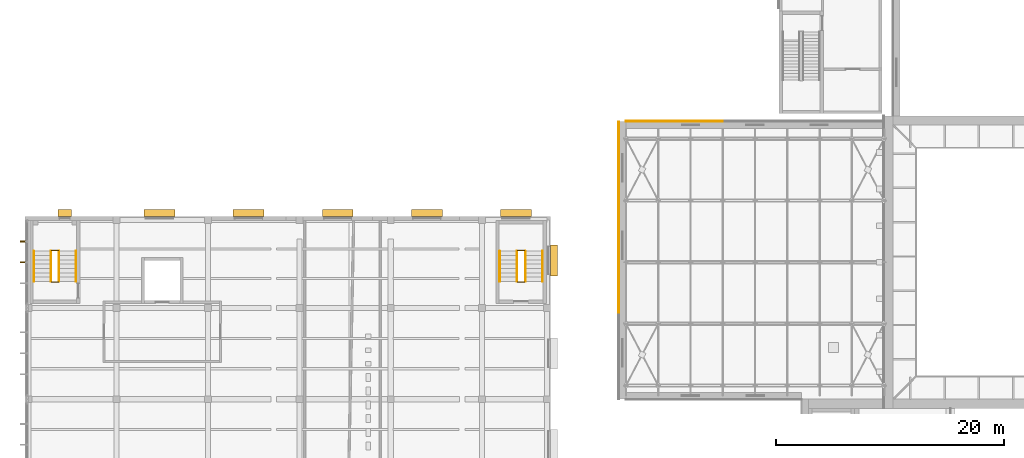
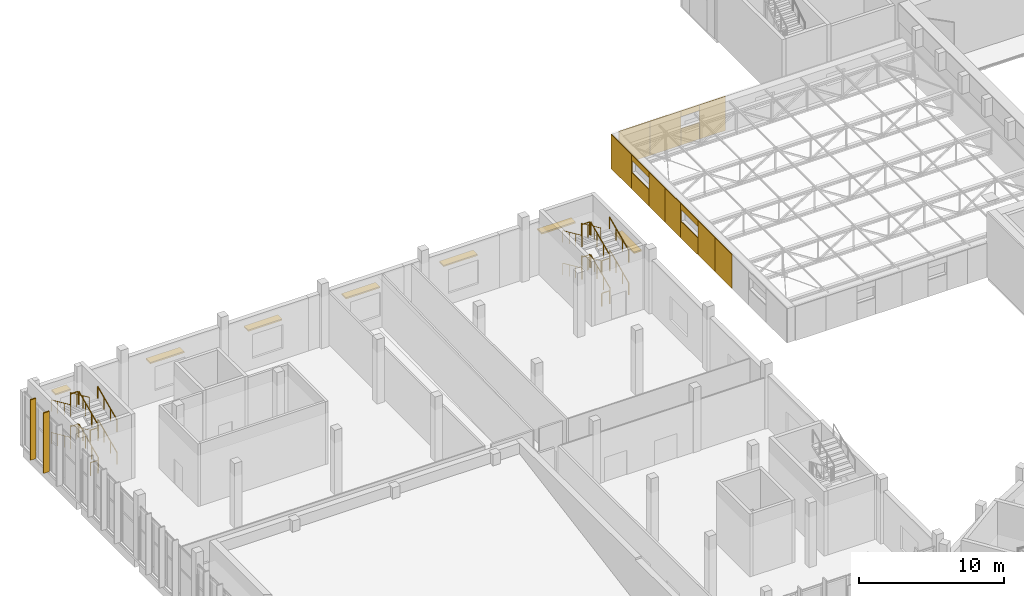
# One storey, part 114 of 132: 24 railings, 14 coverings, 9 shading devices.
"""IFC4 building model written with IfcOpenShell, lengths in metres."""

from ifc_helpers import new_model, si_unit, direction, frame, origin, origin_2d, place, context, subcontext, project, spatial, rectangle, circle, extrude, material, layer, layer_set, type_object, element, save


model = new_model("IFC4")

# Units and contexts
model_context = context("Model", 3, precision=1e-05, world=origin(), true_north=direction((0.0, 1.0)))
body_context = subcontext(model_context, "Body", "Model", "MODEL_VIEW")
ifc_project = project(units=[si_unit("LENGTHUNIT", "METRE"), si_unit("AREAUNIT", "SQUARE_METRE"), si_unit("VOLUMEUNIT", "CUBIC_METRE"), si_unit("PLANEANGLEUNIT", "RADIAN"), si_unit("MASSUNIT", "GRAM", prefix="KILO")], contexts=[model_context])

# Site, building, storey
site_placement = place(None, origin())
site = spatial("IfcSite", under=ifc_project, at=site_placement, CompositionType="ELEMENT")
building_placement = place(site_placement, origin())
building = spatial("IfcBuilding", under=site, at=building_placement, Name="Lunette Opera House", CompositionType="ELEMENT")
storey_placement = place(building_placement, frame((0.0, 0.0, 17.0)))
storey = spatial("IfcBuildingStorey", under=building, at=storey_placement, Name="L03", CompositionType="ELEMENT", Elevation=17.0)

# Shading devices
ifc_material_1 = material(Name="Powder-coated aluminium", Category="aluminium")
shading_device_type_1 = type_object("IfcShadingDeviceType", Name="SOLAR FIN 100 X 450", PredefinedType="USERDEFINED", material=ifc_material_1)
for number, where, z_axis, x_axis, name in (
    (1, (7.76708984375, 109.80908203125, 0.114501953125), (0.0, 0.0, 1.0), (-1.0, 0.0, 0.0), "Solar fin RW-X2043 1"),
    (2, (7.76708984375, 107.98291015625, 0.114501953125), (0.0, 0.0, 1.0), (-1.0, 0.0, 0.0), "Solar fin RW-X2043 2"),
):
    element("IfcShadingDevice", number, at=place(storey_placement, frame(where, z_axis=z_axis, x_axis=x_axis)), inside=storey, type_object=shading_device_type_1, Name=name, ObjectType="SOLAR FIN", PredefinedType="USERDEFINED", context=body_context, shape_type="SweptSolid", body=[
        extrude(rectangle(XDim=0.449951171875, YDim=0.10009765625, at=origin_2d()), origin(), (0.0, 0.0, 1.0), 5.0849609375),
    ])

# Railings
ifc_material_2 = material(Name="Steel S355", Category="steel")
railing_type_1 = type_object("IfcRailingType", Name="STAIR GUARD 1100", PredefinedType="GUARDRAIL", material=ifc_material_2)
railing_1_placement = place(storey_placement, frame((10.949951171875, 106.300048828125, 0.171875)))
element("IfcRailing", 3, at=railing_1_placement, inside=storey, type_object=railing_type_1, Name="L03 ST15 stair guard 1", PredefinedType="GUARDRAIL", context=body_context, shape_type="SweptSolid", body=[
    extrude(circle(Radius=0.02392578125, at=origin_2d()), frame((0.0, 0.0, 1.076171875), z_axis=(0.0, 0.911129605887, 0.412119935549), x_axis=(-1.0, 0.0, 0.0)), (0.0, 0.0, 1.0), 2.91943359375),
    extrude(circle(Radius=0.02099609375, at=origin_2d()), origin(), (0.0, 0.0, 1.0), 1.052001953125),
    extrude(circle(Radius=0.02099609375, at=origin_2d()), frame((0.0, 0.88671875, 0.401123046875)), (0.0, 0.0, 1.0), 1.052001953125),
    extrude(circle(Radius=0.02099609375, at=origin_2d()), frame((0.0, 1.773193359375, 0.802001953125)), (0.0, 0.0, 1.0), 1.052001953125),
    extrude(circle(Radius=0.02099609375, at=origin_2d()), frame((0.0, 2.659912109375, 1.203125)), (0.0, 0.0, 1.0), 1.052001953125),
])
railing_2_placement = place(storey_placement, frame((10.89990234375, 109.010009765625, 1.375)))
element("IfcRailing", 4, at=railing_2_placement, inside=storey, type_object=railing_type_1, Name="L03 ST15 stair guard 2", PredefinedType="GUARDRAIL", context=body_context, shape_type="SweptSolid", body=[
    extrude(circle(Radius=0.02392578125, at=origin_2d()), frame((0.0, 0.0, 1.076171875), z_axis=(-1.0, 0.0, 0.0), x_axis=(0.0, -1.0, 0.0)), (0.0, 0.0, 1.0), 0.599853515625),
    extrude(circle(Radius=0.02099609375, at=origin_2d()), origin(), (0.0, 0.0, 1.0), 1.052001953125),
    extrude(circle(Radius=0.02099609375, at=origin_2d()), frame((-0.599853515625, 0.0, 0.0)), (0.0, 0.0, 1.0), 1.052001953125),
])
railing_3_placement = place(storey_placement, frame((10.25, 108.9599609375, 1.546875)))
element("IfcRailing", 5, at=railing_3_placement, inside=storey, type_object=railing_type_1, Name="L03 ST15 stair guard 3", PredefinedType="GUARDRAIL", context=body_context, shape_type="SweptSolid", body=[
    extrude(circle(Radius=0.02392578125, at=origin_2d()), frame((0.0, 0.0, 1.076171875), z_axis=(0.0, -0.911129605887, 0.412119935549), x_axis=(1.0, 0.0, 0.0)), (0.0, 0.0, 1.0), 2.91943359375),
    extrude(circle(Radius=0.02099609375, at=origin_2d()), origin(), (0.0, 0.0, 1.0), 1.052001953125),
    extrude(circle(Radius=0.02099609375, at=origin_2d()), frame((0.0, -0.88671875, 0.401123046875)), (0.0, 0.0, 1.0), 1.052001953125),
    extrude(circle(Radius=0.02099609375, at=origin_2d()), frame((0.0, -1.773193359375, 0.802001953125)), (0.0, 0.0, 1.0), 1.052001953125),
    extrude(circle(Radius=0.02099609375, at=origin_2d()), frame((0.0, -2.659912109375, 1.203125)), (0.0, 0.0, 1.0), 1.052001953125),
])
railing_4_placement = place(storey_placement, frame((10.89990234375, 106.25, 2.75)))
element("IfcRailing", 6, at=railing_4_placement, inside=storey, type_object=railing_type_1, Name="L03 ST15 stair guard 4", PredefinedType="GUARDRAIL", context=body_context, shape_type="SweptSolid", body=[
    extrude(circle(Radius=0.02392578125, at=origin_2d()), frame((0.0, 0.0, 1.076171875), z_axis=(-1.0, 0.0, 0.0), x_axis=(0.0, -1.0, 0.0)), (0.0, 0.0, 1.0), 0.599853515625),
    extrude(circle(Radius=0.02099609375, at=origin_2d()), origin(), (0.0, 0.0, 1.0), 1.052001953125),
    extrude(circle(Radius=0.02099609375, at=origin_2d()), frame((-0.599853515625, 0.0, 0.0)), (0.0, 0.0, 1.0), 1.052001953125),
])
railing_5_placement = place(storey_placement, frame((10.949951171875, 106.300048828125, 2.921875)))
element("IfcRailing", 7, at=railing_5_placement, inside=storey, type_object=railing_type_1, Name="L03 ST15 stair guard 5", PredefinedType="GUARDRAIL", context=body_context, shape_type="SweptSolid", body=[
    extrude(circle(Radius=0.02392578125, at=origin_2d()), frame((0.0, 0.0, 1.076171875), z_axis=(0.0, 0.911129605887, 0.412119935549), x_axis=(-1.0, 0.0, 0.0)), (0.0, 0.0, 1.0), 2.91943359375),
    extrude(circle(Radius=0.02099609375, at=origin_2d()), origin(), (0.0, 0.0, 1.0), 1.052001953125),
    extrude(circle(Radius=0.02099609375, at=origin_2d()), frame((0.0, 0.88671875, 0.401123046875)), (0.0, 0.0, 1.0), 1.052001953125),
    extrude(circle(Radius=0.02099609375, at=origin_2d()), frame((0.0, 1.773193359375, 0.802001953125)), (0.0, 0.0, 1.0), 1.052001953125),
    extrude(circle(Radius=0.02099609375, at=origin_2d()), frame((0.0, 2.659912109375, 1.203125)), (0.0, 0.0, 1.0), 1.052001953125),
])
railing_6_placement = place(storey_placement, frame((10.89990234375, 109.010009765625, 4.125)))
element("IfcRailing", 8, at=railing_6_placement, inside=storey, type_object=railing_type_1, Name="L03 ST15 stair guard 6", PredefinedType="GUARDRAIL", context=body_context, shape_type="SweptSolid", body=[
    extrude(circle(Radius=0.02392578125, at=origin_2d()), frame((0.0, 0.0, 1.076171875), z_axis=(-1.0, 0.0, 0.0), x_axis=(0.0, -1.0, 0.0)), (0.0, 0.0, 1.0), 0.599853515625),
    extrude(circle(Radius=0.02099609375, at=origin_2d()), origin(), (0.0, 0.0, 1.0), 1.052001953125),
    extrude(circle(Radius=0.02099609375, at=origin_2d()), frame((-0.599853515625, 0.0, 0.0)), (0.0, 0.0, 1.0), 1.052001953125),
])
railing_7_placement = place(storey_placement, frame((10.25, 108.9599609375, 4.296875)))
element("IfcRailing", 9, at=railing_7_placement, inside=storey, type_object=railing_type_1, Name="L03 ST15 stair guard 7", PredefinedType="GUARDRAIL", context=body_context, shape_type="SweptSolid", body=[
    extrude(circle(Radius=0.02392578125, at=origin_2d()), frame((0.0, 0.0, 1.076171875), z_axis=(0.0, -0.911129605887, 0.412119935549), x_axis=(1.0, 0.0, 0.0)), (0.0, 0.0, 1.0), 2.91943359375),
    extrude(circle(Radius=0.02099609375, at=origin_2d()), origin(), (0.0, 0.0, 1.0), 1.052001953125),
    extrude(circle(Radius=0.02099609375, at=origin_2d()), frame((0.0, -0.88671875, 0.401123046875)), (0.0, 0.0, 1.0), 1.052001953125),
    extrude(circle(Radius=0.02099609375, at=origin_2d()), frame((0.0, -1.773193359375, 0.802001953125)), (0.0, 0.0, 1.0), 1.052001953125),
    extrude(circle(Radius=0.02099609375, at=origin_2d()), frame((0.0, -2.659912109375, 1.203125)), (0.0, 0.0, 1.0), 1.052001953125),
])
railing_8_placement = place(storey_placement, frame((10.89990234375, 106.25, 0.0)))
element("IfcRailing", 10, at=railing_8_placement, inside=storey, type_object=railing_type_1, Name="L03 ST15 stair guard 8", PredefinedType="GUARDRAIL", context=body_context, shape_type="SweptSolid", body=[
    extrude(circle(Radius=0.02392578125, at=origin_2d()), frame((0.0, 0.0, 1.076171875), z_axis=(-1.0, 0.0, 0.0), x_axis=(0.0, -1.0, 0.0)), (0.0, 0.0, 1.0), 0.599853515625),
    extrude(circle(Radius=0.02099609375, at=origin_2d()), origin(), (0.0, 0.0, 1.0), 1.052001953125),
    extrude(circle(Radius=0.02099609375, at=origin_2d()), frame((-0.599853515625, 0.0, 0.0)), (0.0, 0.0, 1.0), 1.052001953125),
])
railing_9_placement = place(storey_placement, frame((51.784912109375, 106.300048828125, 0.171875)))
element("IfcRailing", 11, at=railing_9_placement, inside=storey, type_object=railing_type_1, Name="L03 ST17 stair guard 1", PredefinedType="GUARDRAIL", context=body_context, shape_type="SweptSolid", body=[
    extrude(circle(Radius=0.02392578125, at=origin_2d()), frame((0.0, 0.0, 1.076171875), z_axis=(0.0, 0.911129605887, 0.412119935549), x_axis=(-1.0, 0.0, 0.0)), (0.0, 0.0, 1.0), 2.91943359375),
    extrude(circle(Radius=0.02099609375, at=origin_2d()), origin(), (0.0, 0.0, 1.0), 1.052001953125),
    extrude(circle(Radius=0.02099609375, at=origin_2d()), frame((0.0, 0.88671875, 0.401123046875)), (0.0, 0.0, 1.0), 1.052001953125),
    extrude(circle(Radius=0.02099609375, at=origin_2d()), frame((0.0, 1.773193359375, 0.802001953125)), (0.0, 0.0, 1.0), 1.052001953125),
    extrude(circle(Radius=0.02099609375, at=origin_2d()), frame((0.0, 2.659912109375, 1.203125)), (0.0, 0.0, 1.0), 1.052001953125),
])
railing_10_placement = place(storey_placement, frame((51.735107421875, 109.010009765625, 1.375)))
element("IfcRailing", 12, at=railing_10_placement, inside=storey, type_object=railing_type_1, Name="L03 ST17 stair guard 2", PredefinedType="GUARDRAIL", context=body_context, shape_type="SweptSolid", body=[
    extrude(circle(Radius=0.02392578125, at=origin_2d()), frame((0.0, 0.0, 1.076171875), z_axis=(-1.0, 0.0, 0.0), x_axis=(0.0, -1.0, 0.0)), (0.0, 0.0, 1.0), 0.635009765625),
    extrude(circle(Radius=0.02099609375, at=origin_2d()), origin(), (0.0, 0.0, 1.0), 1.052001953125),
    extrude(circle(Radius=0.02099609375, at=origin_2d()), frame((-0.635009765625, 0.0, 0.0)), (0.0, 0.0, 1.0), 1.052001953125),
])
railing_11_placement = place(storey_placement, frame((51.050048828125, 108.9599609375, 1.546875)))
element("IfcRailing", 13, at=railing_11_placement, inside=storey, type_object=railing_type_1, Name="L03 ST17 stair guard 3", PredefinedType="GUARDRAIL", context=body_context, shape_type="SweptSolid", body=[
    extrude(circle(Radius=0.02392578125, at=origin_2d()), frame((0.0, 0.0, 1.076171875), z_axis=(0.0, -0.911129605887, 0.412119935549), x_axis=(1.0, 0.0, 0.0)), (0.0, 0.0, 1.0), 2.91943359375),
    extrude(circle(Radius=0.02099609375, at=origin_2d()), origin(), (0.0, 0.0, 1.0), 1.052001953125),
    extrude(circle(Radius=0.02099609375, at=origin_2d()), frame((0.0, -0.88671875, 0.401123046875)), (0.0, 0.0, 1.0), 1.052001953125),
    extrude(circle(Radius=0.02099609375, at=origin_2d()), frame((0.0, -1.773193359375, 0.802001953125)), (0.0, 0.0, 1.0), 1.052001953125),
    extrude(circle(Radius=0.02099609375, at=origin_2d()), frame((0.0, -2.659912109375, 1.203125)), (0.0, 0.0, 1.0), 1.052001953125),
])
railing_12_placement = place(storey_placement, frame((51.735107421875, 106.25, 2.75)))
element("IfcRailing", 14, at=railing_12_placement, inside=storey, type_object=railing_type_1, Name="L03 ST17 stair guard 4", PredefinedType="GUARDRAIL", context=body_context, shape_type="SweptSolid", body=[
    extrude(circle(Radius=0.02392578125, at=origin_2d()), frame((0.0, 0.0, 1.076171875), z_axis=(-1.0, 0.0, 0.0), x_axis=(0.0, -1.0, 0.0)), (0.0, 0.0, 1.0), 0.635009765625),
    extrude(circle(Radius=0.02099609375, at=origin_2d()), origin(), (0.0, 0.0, 1.0), 1.052001953125),
    extrude(circle(Radius=0.02099609375, at=origin_2d()), frame((-0.635009765625, 0.0, 0.0)), (0.0, 0.0, 1.0), 1.052001953125),
])
railing_13_placement = place(storey_placement, frame((51.784912109375, 106.300048828125, 2.921875)))
element("IfcRailing", 15, at=railing_13_placement, inside=storey, type_object=railing_type_1, Name="L03 ST17 stair guard 5", PredefinedType="GUARDRAIL", context=body_context, shape_type="SweptSolid", body=[
    extrude(circle(Radius=0.02392578125, at=origin_2d()), frame((0.0, 0.0, 1.076171875), z_axis=(0.0, 0.911129605887, 0.412119935549), x_axis=(-1.0, 0.0, 0.0)), (0.0, 0.0, 1.0), 2.91943359375),
    extrude(circle(Radius=0.02099609375, at=origin_2d()), origin(), (0.0, 0.0, 1.0), 1.052001953125),
    extrude(circle(Radius=0.02099609375, at=origin_2d()), frame((0.0, 0.88671875, 0.401123046875)), (0.0, 0.0, 1.0), 1.052001953125),
    extrude(circle(Radius=0.02099609375, at=origin_2d()), frame((0.0, 1.773193359375, 0.802001953125)), (0.0, 0.0, 1.0), 1.052001953125),
    extrude(circle(Radius=0.02099609375, at=origin_2d()), frame((0.0, 2.659912109375, 1.203125)), (0.0, 0.0, 1.0), 1.052001953125),
])
railing_14_placement = place(storey_placement, frame((51.735107421875, 109.010009765625, 4.125)))
element("IfcRailing", 16, at=railing_14_placement, inside=storey, type_object=railing_type_1, Name="L03 ST17 stair guard 6", PredefinedType="GUARDRAIL", context=body_context, shape_type="SweptSolid", body=[
    extrude(circle(Radius=0.02392578125, at=origin_2d()), frame((0.0, 0.0, 1.076171875), z_axis=(-1.0, 0.0, 0.0), x_axis=(0.0, -1.0, 0.0)), (0.0, 0.0, 1.0), 0.635009765625),
    extrude(circle(Radius=0.02099609375, at=origin_2d()), origin(), (0.0, 0.0, 1.0), 1.052001953125),
    extrude(circle(Radius=0.02099609375, at=origin_2d()), frame((-0.635009765625, 0.0, 0.0)), (0.0, 0.0, 1.0), 1.052001953125),
])
railing_15_placement = place(storey_placement, frame((51.050048828125, 108.9599609375, 4.296875)))
element("IfcRailing", 17, at=railing_15_placement, inside=storey, type_object=railing_type_1, Name="L03 ST17 stair guard 7", PredefinedType="GUARDRAIL", context=body_context, shape_type="SweptSolid", body=[
    extrude(circle(Radius=0.02392578125, at=origin_2d()), frame((0.0, 0.0, 1.076171875), z_axis=(0.0, -0.911129605887, 0.412119935549), x_axis=(1.0, 0.0, 0.0)), (0.0, 0.0, 1.0), 2.91943359375),
    extrude(circle(Radius=0.02099609375, at=origin_2d()), origin(), (0.0, 0.0, 1.0), 1.052001953125),
    extrude(circle(Radius=0.02099609375, at=origin_2d()), frame((0.0, -0.88671875, 0.401123046875)), (0.0, 0.0, 1.0), 1.052001953125),
    extrude(circle(Radius=0.02099609375, at=origin_2d()), frame((0.0, -1.773193359375, 0.802001953125)), (0.0, 0.0, 1.0), 1.052001953125),
    extrude(circle(Radius=0.02099609375, at=origin_2d()), frame((0.0, -2.659912109375, 1.203125)), (0.0, 0.0, 1.0), 1.052001953125),
])
railing_16_placement = place(storey_placement, frame((51.735107421875, 106.25, 0.0)))
element("IfcRailing", 18, at=railing_16_placement, inside=storey, type_object=railing_type_1, Name="L03 ST17 stair guard 8", PredefinedType="GUARDRAIL", context=body_context, shape_type="SweptSolid", body=[
    extrude(circle(Radius=0.02392578125, at=origin_2d()), frame((0.0, 0.0, 1.076171875), z_axis=(-1.0, 0.0, 0.0), x_axis=(0.0, -1.0, 0.0)), (0.0, 0.0, 1.0), 0.635009765625),
    extrude(circle(Radius=0.02099609375, at=origin_2d()), origin(), (0.0, 0.0, 1.0), 1.052001953125),
    extrude(circle(Radius=0.02099609375, at=origin_2d()), frame((-0.635009765625, 0.0, 0.0)), (0.0, 0.0, 1.0), 1.052001953125),
])
ifc_material_3 = material(Name="Steel S355", Category="steel")
railing_type_2 = type_object("IfcRailingType", Name="STAIR HANDRAIL 1000", PredefinedType="HANDRAIL", material=ifc_material_3)
railing_17_placement = place(storey_placement, frame((12.449951171875, 106.300048828125, 0.171875)))
element("IfcRailing", 19, at=railing_17_placement, inside=storey, type_object=railing_type_2, Name="L03 ST15 stair handrail 1", PredefinedType="HANDRAIL", context=body_context, shape_type="SweptSolid", body=[
    extrude(circle(Radius=0.02392578125, at=origin_2d()), frame((0.0, 0.0, 0.97607421875), z_axis=(0.0, 0.911129605887, 0.412119935549), x_axis=(-1.0, 0.0, 0.0)), (0.0, 0.0, 1.0), 2.91943359375),
    extrude(circle(Radius=0.02099609375, at=origin_2d()), origin(), (0.0, 0.0, 1.0), 0.951904296875),
    extrude(circle(Radius=0.02099609375, at=origin_2d()), frame((0.0, 0.88671875, 0.401123046875)), (0.0, 0.0, 1.0), 0.951904296875),
    extrude(circle(Radius=0.02099609375, at=origin_2d()), frame((0.0, 1.773193359375, 0.802001953125)), (0.0, 0.0, 1.0), 0.951904296875),
    extrude(circle(Radius=0.02099609375, at=origin_2d()), frame((0.0, 2.659912109375, 1.203125)), (0.0, 0.0, 1.0), 0.951904296875),
])
railing_18_placement = place(storey_placement, frame((8.75, 108.9599609375, 1.546875)))
element("IfcRailing", 20, at=railing_18_placement, inside=storey, type_object=railing_type_2, Name="L03 ST15 stair handrail 2", PredefinedType="HANDRAIL", context=body_context, shape_type="SweptSolid", body=[
    extrude(circle(Radius=0.02392578125, at=origin_2d()), frame((0.0, 0.0, 0.97607421875), z_axis=(0.0, -0.911129605887, 0.412119935549), x_axis=(1.0, 0.0, 0.0)), (0.0, 0.0, 1.0), 2.91943359375),
    extrude(circle(Radius=0.02099609375, at=origin_2d()), origin(), (0.0, 0.0, 1.0), 0.951904296875),
    extrude(circle(Radius=0.02099609375, at=origin_2d()), frame((0.0, -0.88671875, 0.401123046875)), (0.0, 0.0, 1.0), 0.951904296875),
    extrude(circle(Radius=0.02099609375, at=origin_2d()), frame((0.0, -1.773193359375, 0.802001953125)), (0.0, 0.0, 1.0), 0.951904296875),
    extrude(circle(Radius=0.02099609375, at=origin_2d()), frame((0.0, -2.659912109375, 1.203125)), (0.0, 0.0, 1.0), 0.951904296875),
])
railing_19_placement = place(storey_placement, frame((12.449951171875, 106.300048828125, 2.921875)))
element("IfcRailing", 21, at=railing_19_placement, inside=storey, type_object=railing_type_2, Name="L03 ST15 stair handrail 3", PredefinedType="HANDRAIL", context=body_context, shape_type="SweptSolid", body=[
    extrude(circle(Radius=0.02392578125, at=origin_2d()), frame((0.0, 0.0, 0.97607421875), z_axis=(0.0, 0.911129605887, 0.412119935549), x_axis=(-1.0, 0.0, 0.0)), (0.0, 0.0, 1.0), 2.91943359375),
    extrude(circle(Radius=0.02099609375, at=origin_2d()), origin(), (0.0, 0.0, 1.0), 0.951904296875),
    extrude(circle(Radius=0.02099609375, at=origin_2d()), frame((0.0, 0.88671875, 0.401123046875)), (0.0, 0.0, 1.0), 0.951904296875),
    extrude(circle(Radius=0.02099609375, at=origin_2d()), frame((0.0, 1.773193359375, 0.802001953125)), (0.0, 0.0, 1.0), 0.951904296875),
    extrude(circle(Radius=0.02099609375, at=origin_2d()), frame((0.0, 2.659912109375, 1.203125)), (0.0, 0.0, 1.0), 0.951904296875),
])
railing_20_placement = place(storey_placement, frame((8.75, 108.9599609375, 4.296875)))
element("IfcRailing", 22, at=railing_20_placement, inside=storey, type_object=railing_type_2, Name="L03 ST15 stair handrail 4", PredefinedType="HANDRAIL", context=body_context, shape_type="SweptSolid", body=[
    extrude(circle(Radius=0.02392578125, at=origin_2d()), frame((0.0, 0.0, 0.97607421875), z_axis=(0.0, -0.911129605887, 0.412119935549), x_axis=(1.0, 0.0, 0.0)), (0.0, 0.0, 1.0), 2.91943359375),
    extrude(circle(Radius=0.02099609375, at=origin_2d()), origin(), (0.0, 0.0, 1.0), 0.951904296875),
    extrude(circle(Radius=0.02099609375, at=origin_2d()), frame((0.0, -0.88671875, 0.401123046875)), (0.0, 0.0, 1.0), 0.951904296875),
    extrude(circle(Radius=0.02099609375, at=origin_2d()), frame((0.0, -1.773193359375, 0.802001953125)), (0.0, 0.0, 1.0), 0.951904296875),
    extrude(circle(Radius=0.02099609375, at=origin_2d()), frame((0.0, -2.659912109375, 1.203125)), (0.0, 0.0, 1.0), 0.951904296875),
])
railing_21_placement = place(storey_placement, frame((53.284912109375, 106.300048828125, 0.171875)))
element("IfcRailing", 23, at=railing_21_placement, inside=storey, type_object=railing_type_2, Name="L03 ST17 stair handrail 1", PredefinedType="HANDRAIL", context=body_context, shape_type="SweptSolid", body=[
    extrude(circle(Radius=0.02392578125, at=origin_2d()), frame((0.0, 0.0, 0.97607421875), z_axis=(0.0, 0.911129605887, 0.412119935549), x_axis=(-1.0, 0.0, 0.0)), (0.0, 0.0, 1.0), 2.91943359375),
    extrude(circle(Radius=0.02099609375, at=origin_2d()), origin(), (0.0, 0.0, 1.0), 0.951904296875),
    extrude(circle(Radius=0.02099609375, at=origin_2d()), frame((0.0, 0.88671875, 0.401123046875)), (0.0, 0.0, 1.0), 0.951904296875),
    extrude(circle(Radius=0.02099609375, at=origin_2d()), frame((0.0, 1.773193359375, 0.802001953125)), (0.0, 0.0, 1.0), 0.951904296875),
    extrude(circle(Radius=0.02099609375, at=origin_2d()), frame((0.0, 2.659912109375, 1.203125)), (0.0, 0.0, 1.0), 0.951904296875),
])
railing_22_placement = place(storey_placement, frame((49.550048828125, 108.9599609375, 1.546875)))
element("IfcRailing", 24, at=railing_22_placement, inside=storey, type_object=railing_type_2, Name="L03 ST17 stair handrail 2", PredefinedType="HANDRAIL", context=body_context, shape_type="SweptSolid", body=[
    extrude(circle(Radius=0.02392578125, at=origin_2d()), frame((0.0, 0.0, 0.97607421875), z_axis=(0.0, -0.911129605887, 0.412119935549), x_axis=(1.0, 0.0, 0.0)), (0.0, 0.0, 1.0), 2.91943359375),
    extrude(circle(Radius=0.02099609375, at=origin_2d()), origin(), (0.0, 0.0, 1.0), 0.951904296875),
    extrude(circle(Radius=0.02099609375, at=origin_2d()), frame((0.0, -0.88671875, 0.401123046875)), (0.0, 0.0, 1.0), 0.951904296875),
    extrude(circle(Radius=0.02099609375, at=origin_2d()), frame((0.0, -1.773193359375, 0.802001953125)), (0.0, 0.0, 1.0), 0.951904296875),
    extrude(circle(Radius=0.02099609375, at=origin_2d()), frame((0.0, -2.659912109375, 1.203125)), (0.0, 0.0, 1.0), 0.951904296875),
])
railing_23_placement = place(storey_placement, frame((53.284912109375, 106.300048828125, 2.921875)))
element("IfcRailing", 25, at=railing_23_placement, inside=storey, type_object=railing_type_2, Name="L03 ST17 stair handrail 3", PredefinedType="HANDRAIL", context=body_context, shape_type="SweptSolid", body=[
    extrude(circle(Radius=0.02392578125, at=origin_2d()), frame((0.0, 0.0, 0.97607421875), z_axis=(0.0, 0.911129605887, 0.412119935549), x_axis=(-1.0, 0.0, 0.0)), (0.0, 0.0, 1.0), 2.91943359375),
    extrude(circle(Radius=0.02099609375, at=origin_2d()), origin(), (0.0, 0.0, 1.0), 0.951904296875),
    extrude(circle(Radius=0.02099609375, at=origin_2d()), frame((0.0, 0.88671875, 0.401123046875)), (0.0, 0.0, 1.0), 0.951904296875),
    extrude(circle(Radius=0.02099609375, at=origin_2d()), frame((0.0, 1.773193359375, 0.802001953125)), (0.0, 0.0, 1.0), 0.951904296875),
    extrude(circle(Radius=0.02099609375, at=origin_2d()), frame((0.0, 2.659912109375, 1.203125)), (0.0, 0.0, 1.0), 0.951904296875),
])
railing_24_placement = place(storey_placement, frame((49.550048828125, 108.9599609375, 4.296875)))
element("IfcRailing", 26, at=railing_24_placement, inside=storey, type_object=railing_type_2, Name="L03 ST17 stair handrail 4", PredefinedType="HANDRAIL", context=body_context, shape_type="SweptSolid", body=[
    extrude(circle(Radius=0.02392578125, at=origin_2d()), frame((0.0, 0.0, 0.97607421875), z_axis=(0.0, -0.911129605887, 0.412119935549), x_axis=(1.0, 0.0, 0.0)), (0.0, 0.0, 1.0), 2.91943359375),
    extrude(circle(Radius=0.02099609375, at=origin_2d()), origin(), (0.0, 0.0, 1.0), 0.951904296875),
    extrude(circle(Radius=0.02099609375, at=origin_2d()), frame((0.0, -0.88671875, 0.401123046875)), (0.0, 0.0, 1.0), 0.951904296875),
    extrude(circle(Radius=0.02099609375, at=origin_2d()), frame((0.0, -1.773193359375, 0.802001953125)), (0.0, 0.0, 1.0), 0.951904296875),
    extrude(circle(Radius=0.02099609375, at=origin_2d()), frame((0.0, -2.659912109375, 1.203125)), (0.0, 0.0, 1.0), 0.951904296875),
])

# Coverings
ifc_material_4 = material(Name="Aluminium standing seam cladding", Category="aluminium")
ifc_layer_1 = layer(ifc_material_4, 0.06005859375)
ifc_layer_set_1 = layer_set([ifc_layer_1], Name="Aluminium standing seam cladding")
covering_type = type_object("IfcCoveringType", Name="STANDING SEAM CLADDING 60", PredefinedType="CLADDING", material=ifc_layer_set_1)
for number, where, z_axis, x_axis, name in (
    (27, (59.969970703125, 104.75, 0.0), (0.0, 0.0, 1.0), (0.0, 1.0, 0.0), "Standing seam cladding SW-W-1 L03 21"),
    (28, (59.969970703125, 107.0830078125, 0.0), (0.0, 0.0, 1.0), (0.0, 1.0, 0.0), "Standing seam cladding SW-W-1 L03 22"),
):
    element("IfcCovering", number, at=place(storey_placement, frame(where, z_axis=z_axis, x_axis=x_axis)), inside=storey, type_object=covering_type, Name=name, PredefinedType="CLADDING", context=body_context, shape_type="SweptSolid", body=[
        extrude(rectangle(XDim=2.3330078125, YDim=0.06005859375, at=origin_2d()), origin(), (0.0, 0.0, 1.0), 2.8798828125),
    ])
covering_1_placement = place(storey_placement, frame((59.969970703125, 109.449951171875, 0.0), z_axis=(0.0, 0.0, 1.0), x_axis=(0.0, 1.0, 0.0)))
element("IfcCovering", 29, at=covering_1_placement, inside=storey, type_object=covering_type, Name="Standing seam cladding SW-W-1 L03 30", PredefinedType="CLADDING", context=body_context, shape_type="SweptSolid", body=[
    extrude(rectangle(XDim=2.39990234375, YDim=0.06005859375, at=origin_2d()), origin(), (0.0, 0.0, 1.0), 1.39990234375),
])
covering_2_placement = place(storey_placement, frame((59.969970703125, 109.449951171875, 2.39990234375), z_axis=(0.0, 0.0, 1.0), x_axis=(0.0, 1.0, 0.0)))
element("IfcCovering", 30, at=covering_2_placement, inside=storey, type_object=covering_type, Name="Standing seam cladding SW-W-1 L03 31", PredefinedType="CLADDING", context=body_context, shape_type="SweptSolid", body=[
    extrude(rectangle(XDim=2.39990234375, YDim=0.06005859375, at=origin_2d()), origin(), (0.0, 0.0, 1.0), 0.47998046875),
])
for number, where, z_axis, x_axis, name in (
    (31, (59.969970703125, 111.75, 0.0), (0.0, 0.0, 1.0), (0.0, 1.0, 0.0), "Standing seam cladding SW-W-1 L03 40"),
    (32, (59.969970703125, 113.949951171875, 0.0), (0.0, 0.0, 1.0), (0.0, 1.0, 0.0), "Standing seam cladding SW-W-1 L03 41"),
):
    element("IfcCovering", number, at=place(storey_placement, frame(where, z_axis=z_axis, x_axis=x_axis)), inside=storey, type_object=covering_type, Name=name, PredefinedType="CLADDING", context=body_context, shape_type="SweptSolid", body=[
        extrude(rectangle(XDim=2.199951171875, YDim=0.06005859375, at=origin_2d()), origin(), (0.0, 0.0, 1.0), 2.8798828125),
    ])
covering_3_placement = place(storey_placement, frame((59.969970703125, 116.25, 0.0), z_axis=(0.0, 0.0, 1.0), x_axis=(0.0, 1.0, 0.0)))
element("IfcCovering", 33, at=covering_3_placement, inside=storey, type_object=covering_type, Name="Standing seam cladding SW-W-1 L03 50", PredefinedType="CLADDING", context=body_context, shape_type="SweptSolid", body=[
    extrude(rectangle(XDim=2.39990234375, YDim=0.06005859375, at=origin_2d()), origin(), (0.0, 0.0, 1.0), 1.39990234375),
])
covering_4_placement = place(storey_placement, frame((59.969970703125, 116.25, 2.39990234375), z_axis=(0.0, 0.0, 1.0), x_axis=(0.0, 1.0, 0.0)))
element("IfcCovering", 34, at=covering_4_placement, inside=storey, type_object=covering_type, Name="Standing seam cladding SW-W-1 L03 51", PredefinedType="CLADDING", context=body_context, shape_type="SweptSolid", body=[
    extrude(rectangle(XDim=2.39990234375, YDim=0.06005859375, at=origin_2d()), origin(), (0.0, 0.0, 1.0), 0.47998046875),
])
covering_5_placement = place(storey_placement, frame((59.969970703125, 118.875, 0.0), z_axis=(0.0, 0.0, 1.0), x_axis=(0.0, 1.0, 0.0)))
element("IfcCovering", 35, at=covering_5_placement, inside=storey, type_object=covering_type, Name="Standing seam cladding SW-W-1 L03 60", PredefinedType="CLADDING", context=body_context, shape_type="SweptSolid", body=[
    extrude(rectangle(XDim=2.85009765625, YDim=0.06005859375, at=origin_2d()), origin(), (0.0, 0.0, 1.0), 2.8798828125),
])
for number, where, z_axis, x_axis, name in (
    (36, (61.8291015625, 120.330078125, 0.0), (0.0, 0.0, 1.0), (1.0, 0.0, 0.0), "Standing seam cladding SW-N-1 L03 00"),
    (37, (64.2880859375, 120.330078125, 0.0), (0.0, 0.0, 1.0), (1.0, 0.0, 0.0), "Standing seam cladding SW-N-1 L03 01"),
):
    element("IfcCovering", number, at=place(storey_placement, frame(where, z_axis=z_axis, x_axis=x_axis)), inside=storey, type_object=covering_type, Name=name, PredefinedType="CLADDING", context=body_context, shape_type="SweptSolid", body=[
        extrude(rectangle(XDim=2.4580078125, YDim=0.06005859375, at=origin_2d()), origin(), (0.0, 0.0, 1.0), 2.8798828125),
    ])
covering_6_placement = place(storey_placement, frame((66.26708984375, 120.330078125, 0.0), z_axis=(0.0, 0.0, 1.0), x_axis=(1.0, 0.0, 0.0)))
element("IfcCovering", 38, at=covering_6_placement, inside=storey, type_object=covering_type, Name="Standing seam cladding SW-N-1 L03 10", PredefinedType="CLADDING", context=body_context, shape_type="SweptSolid", body=[
    extrude(rectangle(XDim=1.5, YDim=0.06005859375, at=origin_2d()), origin(), (0.0, 0.0, 1.0), 1.39990234375),
])
covering_7_placement = place(storey_placement, frame((66.26708984375, 120.330078125, 2.39990234375), z_axis=(0.0, 0.0, 1.0), x_axis=(1.0, 0.0, 0.0)))
element("IfcCovering", 39, at=covering_7_placement, inside=storey, type_object=covering_type, Name="Standing seam cladding SW-N-1 L03 11", PredefinedType="CLADDING", context=body_context, shape_type="SweptSolid", body=[
    extrude(rectangle(XDim=1.5, YDim=0.06005859375, at=origin_2d()), origin(), (0.0, 0.0, 1.0), 0.47998046875),
])
covering_8_placement = place(storey_placement, frame((68.050048828125, 120.330078125, 0.0), z_axis=(0.0, 0.0, 1.0), x_axis=(1.0, 0.0, 0.0)))
element("IfcCovering", 40, at=covering_8_placement, inside=storey, type_object=covering_type, Name="Standing seam cladding SW-N-1 L03 20", PredefinedType="CLADDING", context=body_context, shape_type="SweptSolid", body=[
    extrude(rectangle(XDim=2.06591796875, YDim=0.06005859375, at=origin_2d()), origin(), (0.0, 0.0, 1.0), 2.8798828125),
])

# Shading devices
ifc_material_5 = material(Name="Powder-coated aluminium", Category="aluminium")
ifc_layer_2 = layer(ifc_material_5, 0.1201171875)
ifc_layer_set_2 = layer_set([ifc_layer_2], Name="Powder-coated aluminium")
shading_device_type_2 = type_object("IfcShadingDeviceType", Name="WINDOW HOOD 600 X 1200", PredefinedType="USERDEFINED", material=ifc_layer_set_2)
shading_device_placement = place(storey_placement, frame((11.450927734375, 112.299072265625, 3.079833984375), z_axis=(0.0, 0.0, 1.0), x_axis=(0.0, 1.0, 0.0)))
element("IfcShadingDevice", 41, at=shading_device_placement, inside=storey, type_object=shading_device_type_2, Name="Window hood RW-N2063", ObjectType="WINDOW HOOD", PredefinedType="USERDEFINED", context=body_context, shape_type="SweptSolid", body=[
    extrude(rectangle(XDim=0.60009765625, YDim=1.199951171875, at=origin_2d()), origin(), (0.0, 0.0, 1.0), 0.1201171875),
])
ifc_material_6 = material(Name="Powder-coated aluminium", Category="aluminium")
ifc_layer_3 = layer(ifc_material_6, 0.1201171875)
ifc_layer_set_3 = layer_set([ifc_layer_3], Name="Powder-coated aluminium")
shading_device_type_3 = type_object("IfcShadingDeviceType", Name="WINDOW HOOD 600 X 2700", PredefinedType="USERDEFINED", material=ifc_layer_set_3)
for number, where, z_axis, x_axis, name in (
    (42, (54.300048828125, 108.14990234375, 3.079833984375), (0.0, 0.0, 1.0), (1.0, 0.0, 0.0), "Window hood RW-N2042"),
    (43, (50.967041015625, 112.299072265625, 3.079833984375), (0.0, 0.0, 1.0), (0.0, 1.0, 0.0), "Window hood RW-N2043"),
    (44, (43.1640625, 112.299072265625, 3.079833984375), (0.0, 0.0, 1.0), (0.0, 1.0, 0.0), "Window hood RW-N2044"),
    (45, (35.361083984375, 112.299072265625, 3.079833984375), (0.0, 0.0, 1.0), (0.0, 1.0, 0.0), "Window hood RW-N2045"),
    (46, (27.55810546875, 112.299072265625, 3.079833984375), (0.0, 0.0, 1.0), (0.0, 1.0, 0.0), "Window hood RW-N2046"),
    (47, (19.756103515625, 112.299072265625, 3.079833984375), (0.0, 0.0, 1.0), (0.0, 1.0, 0.0), "Window hood RW-N2047"),
):
    element("IfcShadingDevice", number, at=place(storey_placement, frame(where, z_axis=z_axis, x_axis=x_axis)), inside=storey, type_object=shading_device_type_3, Name=name, ObjectType="WINDOW HOOD", PredefinedType="USERDEFINED", context=body_context, shape_type="SweptSolid", body=[
        extrude(rectangle(XDim=0.60009765625, YDim=2.699951171875, at=origin_2d()), origin(), (0.0, 0.0, 1.0), 0.1201171875),
    ])

save(model, "model.ifc")
